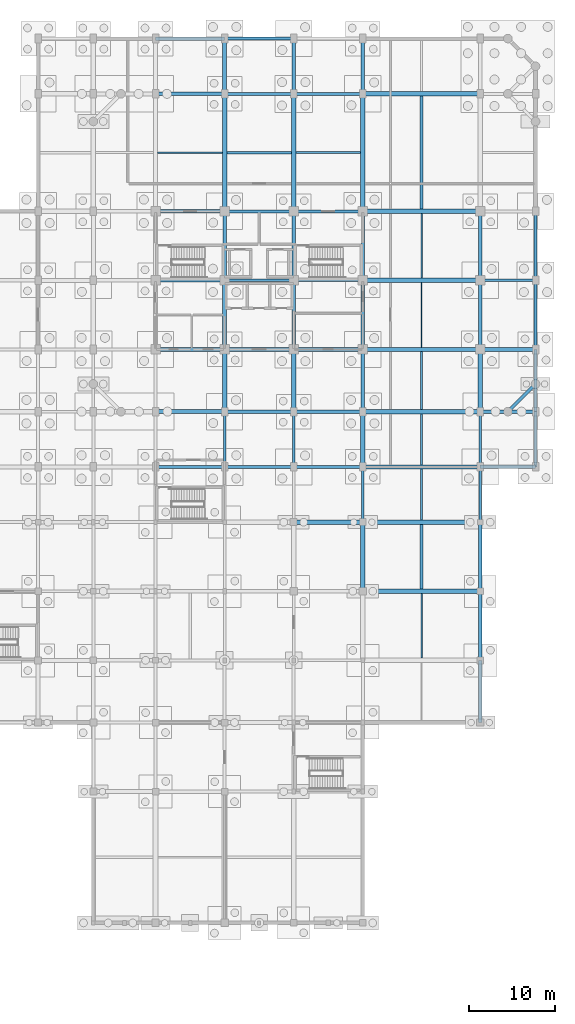
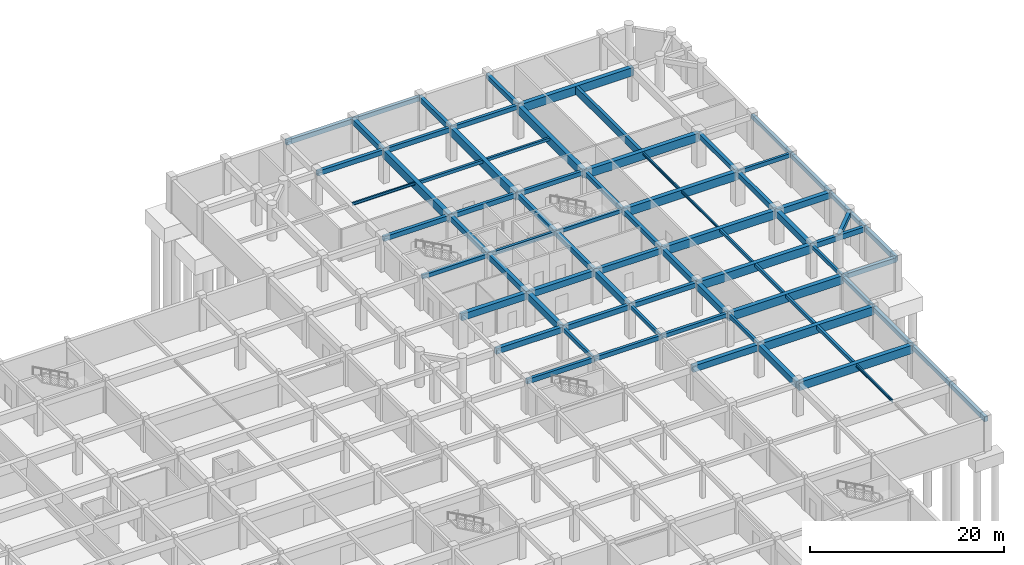
# One storey, part 15 of 28: 77 beams.
"""IFC4 building model written with IfcOpenShell, lengths in metres."""

import ifcopenshell
import ifcopenshell.guid

model = None  # the IFC model being written
_history = None  # IfcOwnerHistory: only IFC2X3 demands one
_inside = {}  # id of a spatial element -> (the spatial element, [elements in it])
_under = {}  # id of a project, library or spatial element -> (it, [spatial elements below it])
_declared = {}  # id of a project -> (the project, [libraries it declares])
_typed = {}  # id of a type object -> (the type object, [elements of that type])
_made_of = {}  # id of a material, layer set ... -> (it, [elements and type objects made of it])


def new_model(schema):
    """Start an empty IFC model of exactly this schema.

    Asked for "IFC4X3", IfcOpenShell would pick the latest addendum, in which some entities
    have other attributes; the version numbers below select the first issue.
    IFC2X3 requires an IfcOwnerHistory on every rooted entity: one is made here for all.
    """
    global model, _history
    if schema == "IFC4X3":
        model = ifcopenshell.file(schema_version=(4, 3, 0, 0))
    else:
        model = ifcopenshell.file(schema=schema)
    _inside.clear()
    _under.clear()
    _declared.clear()
    _typed.clear()
    _made_of.clear()
    _history = None
    if model.schema == "IFC2X3":
        org = make("IfcOrganization", Name="unknown")
        user = make(
            "IfcPersonAndOrganization",
            ThePerson=make("IfcPerson", FamilyName="unknown"),
            TheOrganization=org,
        )
        app = make(
            "IfcApplication",
            ApplicationDeveloper=org,
            Version="unknown",
            ApplicationFullName="unknown",
            ApplicationIdentifier="unknown",
        )
        _history = make(
            "IfcOwnerHistory",
            OwningUser=user,
            OwningApplication=app,
            ChangeAction="ADDED",
            CreationDate=0,
        )
    return model


def make(cls, **values):
    """One entity of the class cls with the attributes given. An attribute that is None is left unset."""
    return model.create_entity(
        cls, **{name: value for name, value in values.items() if value is not None}
    )


def rooted(cls, **values):
    """An entity with a GlobalId (a new one), such as an element, a storey or a relation."""
    return make(cls, GlobalId=ifcopenshell.guid.new(), OwnerHistory=_history, **values)


def si_unit(unit_type, name, prefix=None):
    """IfcSIUnit, for example si_unit("LENGTHUNIT", "METRE", prefix="MILLI")."""
    return make("IfcSIUnit", UnitType=unit_type, Prefix=prefix, Name=name)


def assignment(units):
    """IfcUnitAssignment: the units of a project."""
    return None if units is None else make("IfcUnitAssignment", Units=units)


def point(xyz):
    """IfcCartesianPoint."""
    return None if xyz is None else make("IfcCartesianPoint", Coordinates=xyz)


def direction(xyz):
    """IfcDirection."""
    return None if xyz is None else make("IfcDirection", DirectionRatios=xyz)


def frame(location, z_axis=None, x_axis=None):
    """IfcAxis2Placement3D, a coordinate frame: its origin and axes. An axis left out is left unset."""
    return make(
        "IfcAxis2Placement3D",
        Location=point(location),
        Axis=direction(z_axis),
        RefDirection=direction(x_axis),
    )


def frame_2d(location, x_axis=None):
    """IfcAxis2Placement2D, a coordinate frame in the plane: its origin and x axis."""
    return make(
        "IfcAxis2Placement2D", Location=point(location), RefDirection=direction(x_axis)
    )


def origin():
    """The frame at (0, 0, 0) with its axes left unset."""
    return frame((0.0, 0.0, 0.0))


def origin_2d():
    """The frame at (0, 0) in the plane with its x axis left unset."""
    return frame_2d((0.0, 0.0))


def place(relative_to, where):
    """IfcLocalPlacement: puts the frame where relative to a parent placement (None: the world)."""
    return make(
        "IfcLocalPlacement", PlacementRelTo=relative_to, RelativePlacement=where
    )


def context(
    kind, dimensions, precision=None, world=None, true_north=None, identifier=None
):
    """IfcGeometricRepresentationContext, for example the 3D "Model" context."""
    return make(
        "IfcGeometricRepresentationContext",
        ContextIdentifier=identifier,
        ContextType=kind,
        CoordinateSpaceDimension=dimensions,
        Precision=precision,
        WorldCoordinateSystem=world,
        TrueNorth=true_north,
    )


def subcontext(parent, identifier, kind, view, scale=None):
    """IfcGeometricRepresentationSubContext, for example "Body" below "Model"."""
    return make(
        "IfcGeometricRepresentationSubContext",
        ContextIdentifier=identifier,
        ContextType=kind,
        ParentContext=parent,
        TargetScale=scale,
        TargetView=view,
    )


def project(units=None, contexts=None):
    """IfcProject with its units and contexts."""
    return rooted(
        "IfcProject",
        Name="project",
        RepresentationContexts=contexts,
        UnitsInContext=assignment(units),
    )


def spatial(cls, under=None, at=None, **own):
    """A site, building, storey or space (cls), placed at a placement, below another one or the project."""
    s = rooted(cls, ObjectPlacement=at, **own)
    if under is not None:
        _under.setdefault(under.id(), (under, []))[1].append(s)
    return s


def profile(cls, at=None, kind="AREA", **sizes):
    """A parametric profile (cls). Its sizes go by their IFC names, for example OverallWidth=200.0."""
    return make(cls, ProfileType=kind, Position=at, **sizes)


def rectangle(**sizes):
    """IfcRectangleProfileDef."""
    return profile("IfcRectangleProfileDef", **sizes)


def i_section(**sizes):
    """IfcIShapeProfileDef."""
    return profile("IfcIShapeProfileDef", **sizes)


def extrude(swept, where, along, depth):
    """IfcExtrudedAreaSolid: the profile swept, set in the frame where, extruded along a direction by depth."""
    return make(
        "IfcExtrudedAreaSolid",
        SweptArea=swept,
        Position=where,
        ExtrudedDirection=direction(along),
        Depth=depth,
    )


def shape(context_of_items, identifier, shape_type, items):
    """IfcShapeRepresentation: the items that make up one representation, for example the "Body"."""
    return make(
        "IfcShapeRepresentation",
        ContextOfItems=context_of_items,
        RepresentationIdentifier=identifier,
        RepresentationType=shape_type,
        Items=items,
    )


def material(Name=None, Category=None):
    """IfcMaterial."""
    return make("IfcMaterial", Name=Name, Category=Category)


def material_profile(
    of_material, cross_section, Name=None, Category=None, Priority=None
):
    """IfcMaterialProfile: a cross section and its material."""
    return make(
        "IfcMaterialProfile",
        Name=Name,
        Material=of_material,
        Profile=cross_section,
        Priority=Priority,
        Category=Category,
    )


def profile_set(profiles, Name=None, composite=None):
    """IfcMaterialProfileSet."""
    return make(
        "IfcMaterialProfileSet",
        Name=Name,
        MaterialProfiles=profiles,
        CompositeProfile=composite,
    )


def made_of(thing, what):
    """Note that an element or type object is made of a material, layer set ...; save() writes the relation."""
    if what is not None:
        _made_of.setdefault(what.id(), (what, []))[1].append(thing)
    return thing


def type_object(cls, material=None, **own):
    """A type object (cls), such as IfcWallType, which elements share."""
    return made_of(rooted(cls, **own), material)


def element(
    cls,
    number,
    at=None,
    inside=None,
    cuts=None,
    type_object=None,
    material=None,
    context=None,
    identifier="Body",
    shape_type=None,
    held_by="IfcProductDefinitionShape",
    body=None,
    shapes=None,
    **own,
):
    """One element of the class cls, such as IfcWall. Its Tag is "e" and its number.

    at: its placement. inside: the storey or other place that contains it. cuts: it is an
    opening in that element (IfcRelVoidsElement). A single representation is given by context,
    identifier, shape_type and body (its items); several are given by shapes. held_by: the class
    of the entity that holds the representations. save() writes the other relations.
    """
    e = rooted(cls, Tag="e%d" % number, ObjectPlacement=at, **own)
    if body is not None:
        shapes = [shape(context, identifier, shape_type, body)]
    if shapes is not None:
        e.Representation = make(held_by, Representations=shapes)
    if inside is not None:
        _inside.setdefault(inside.id(), (inside, []))[1].append(e)
    if cuts is not None:
        rooted(
            "IfcRelVoidsElement", RelatingBuildingElement=cuts, RelatedOpeningElement=e
        )
    if type_object is not None:
        _typed.setdefault(type_object.id(), (type_object, []))[1].append(e)
    return made_of(e, material)


def aggregate(whole, parts):
    """IfcRelAggregates: a whole, such as a stair, and the parts it consists of."""
    return rooted("IfcRelAggregates", RelatingObject=whole, RelatedObjects=parts)


def save(model, path):
    """Write the relations noted so far, then the file.

    IfcRelAggregates (storeys below a building ...), IfcRelContainedInSpatialStructure (elements
    in a storey), IfcRelDefinesByType, IfcRelAssociatesMaterial and IfcRelDeclares: one each for
    every whole, place, type object, material and project.
    """
    for whole, parts in _under.values():
        aggregate(whole, parts)
    for where, things in _inside.values():
        rooted(
            "IfcRelContainedInSpatialStructure",
            RelatedElements=things,
            RelatingStructure=where,
        )
    for kind, things in _typed.values():
        rooted("IfcRelDefinesByType", RelatedObjects=things, RelatingType=kind)
    for what, things in _made_of.values():
        rooted("IfcRelAssociatesMaterial", RelatedObjects=things, RelatingMaterial=what)
    for by, libraries in _declared.values():
        rooted("IfcRelDeclares", RelatingContext=by, RelatedDefinitions=libraries)
    model.write(path)


model = new_model("IFC4")

# Units and contexts
model_context = context("Model", 3, precision=1e-05, world=origin(), true_north=direction((0.0, 1.0)))
body_context = subcontext(model_context, "Body", "Model", "MODEL_VIEW")
ifc_project = project(units=[si_unit("LENGTHUNIT", "METRE"), si_unit("AREAUNIT", "SQUARE_METRE"), si_unit("VOLUMEUNIT", "CUBIC_METRE"), si_unit("PLANEANGLEUNIT", "RADIAN"), si_unit("MASSUNIT", "GRAM", prefix="KILO")], contexts=[model_context])

# Site, building, storey
site_placement = place(None, origin())
site = spatial("IfcSite", under=ifc_project, at=site_placement, CompositionType="ELEMENT")
building_placement = place(site_placement, origin())
building = spatial("IfcBuilding", under=site, at=building_placement, Name="Vellmiral Cinema and Media Centre", CompositionType="ELEMENT")
storey_placement = place(building_placement, frame((0.0, 0.0, -4.5)))
storey = spatial("IfcBuildingStorey", under=building, at=storey_placement, Name="B1", CompositionType="ELEMENT", Elevation=-4.5)

# Beams
ifc_material_1 = material(Name="Concrete C40/50", Category="concrete")
ifc_material_profile_1 = material_profile(ifc_material_1, rectangle(XDim=0.300048828125, YDim=0.449951171875, at=origin_2d()), Name="RC 300x450")
ifc_profile_set_1 = profile_set([ifc_material_profile_1], Name="Concrete C40/50")
beam_type_1 = type_object("IfcBeamType", Name="BM-RC-300x450", PredefinedType="BEAM", material=ifc_profile_set_1)
beam_1_placement = place(storey_placement, frame((140.0, 87.199951171875, 3.85009765625), z_axis=(1.0, 0.0, 0.0), x_axis=(0.0, 1.0, 0.0)))
element("IfcBeam", 1, at=beam_1_placement, inside=storey, type_object=beam_type_1, Name="Grid Beam B1-X171", PredefinedType="BEAM", context=body_context, shape_type="SweptSolid", body=[
    extrude(rectangle(XDim=0.300048828125, YDim=0.449951171875, at=origin_2d()), origin(), (0.0, 0.0, 1.0), 8.0),
])
beam_2_placement = place(storey_placement, frame((140.0, 65.60009765625, 3.85009765625), z_axis=(0.0, 1.0, 0.0), x_axis=(-1.0, 0.0, 0.0)))
element("IfcBeam", 2, at=beam_2_placement, inside=storey, type_object=beam_type_1, Name="Grid Beam B1-Y383", PredefinedType="BEAM", context=body_context, shape_type="SweptSolid", body=[
    extrude(rectangle(XDim=0.300048828125, YDim=0.449951171875, at=origin_2d()), origin(), (0.0, 0.0, 1.0), 6.39990234375),
])
beam_3_placement = place(storey_placement, frame((148.0, 59.199951171875, 3.85009765625), z_axis=(0.0, 1.0, 0.0), x_axis=(-1.0, 0.0, 0.0)))
element("IfcBeam", 3, at=beam_3_placement, inside=storey, type_object=beam_type_1, Name="Grid Beam B1-Y394", PredefinedType="BEAM", context=body_context, shape_type="SweptSolid", body=[
    extrude(rectangle(XDim=0.300048828125, YDim=0.449951171875, at=origin_2d()), origin(), (0.0, 0.0, 1.0), 6.400146484375),
])
beam_4_placement = place(storey_placement, frame((161.60009765625, 65.60009765625, 3.85009765625), z_axis=(0.0, 1.0, 0.0), x_axis=(-1.0, 0.0, 0.0)))
element("IfcBeam", 4, at=beam_4_placement, inside=storey, type_object=beam_type_1, Name="Grid Beam B1-Y405", PredefinedType="BEAM", context=body_context, shape_type="SweptSolid", body=[
    extrude(rectangle(XDim=0.300048828125, YDim=0.449951171875, at=origin_2d()), origin(), (0.0, 0.0, 1.0), 6.39990234375),
])
ifc_material_2 = material(Name="Concrete C40/50", Category="concrete")
ifc_material_profile_2 = material_profile(ifc_material_2, rectangle(XDim=0.300048828125, YDim=0.5, at=origin_2d()), Name="RC 300x500")
ifc_profile_set_2 = profile_set([ifc_material_profile_2], Name="Concrete C40/50")
beam_type_2 = type_object("IfcBeamType", Name="BM-RC-300x500", PredefinedType="BEAM", material=ifc_profile_set_2)
beam_5_placement = place(storey_placement, frame((132.0, 87.199951171875, 3.824951171875), z_axis=(1.0, 0.0, 0.0), x_axis=(0.0, 1.0, 0.0)))
element("IfcBeam", 5, at=beam_5_placement, inside=storey, type_object=beam_type_2, Name="Grid Beam B1-X170", PredefinedType="BEAM", context=body_context, shape_type="SweptSolid", body=[
    extrude(rectangle(XDim=0.300048828125, YDim=0.5, at=origin_2d()), origin(), (0.0, 0.0, 1.0), 8.0),
])
for number, where, z_axis, x_axis, name in (
    (6, (161.60009765625, 87.199951171875, 3.824951171875), (1.0, 0.0, 0.0), (0.0, 1.0, 0.0), "Grid Beam B1-X173"),
    (7, (132.0, 65.60009765625, 3.824951171875), (0.0, 1.0, 0.0), (-1.0, 0.0, 0.0), "Grid Beam B1-Y371"),
):
    element("IfcBeam", number, at=place(storey_placement, frame(where, z_axis=z_axis, x_axis=x_axis)), inside=storey, type_object=beam_type_2, Name=name, PredefinedType="BEAM", context=body_context, shape_type="SweptSolid", body=[
        extrude(rectangle(XDim=0.300048828125, YDim=0.5, at=origin_2d()), origin(), (0.0, 0.0, 1.0), 6.39990234375),
    ])
ifc_material_3 = material(Name="Concrete C40/50", Category="concrete")
ifc_material_profile_3 = material_profile(ifc_material_3, rectangle(XDim=0.35009765625, YDim=0.5, at=origin_2d()), Name="RC 350x500")
ifc_profile_set_3 = profile_set([ifc_material_profile_3], Name="Concrete C40/50")
beam_type_3 = type_object("IfcBeamType", Name="BM-RC-350x500", PredefinedType="BEAM", material=ifc_profile_set_3)
for number, where, z_axis, x_axis, name in (
    (8, (140.0, 65.60009765625, 3.824951171875), (1.0, 0.0, 0.0), (0.0, 1.0, 0.0), "Grid Beam B1-X114"),
    (9, (124.0, 87.199951171875, 3.824951171875), (1.0, 0.0, 0.0), (0.0, 1.0, 0.0), "Grid Beam B1-X169"),
):
    element("IfcBeam", number, at=place(storey_placement, frame(where, z_axis=z_axis, x_axis=x_axis)), inside=storey, type_object=beam_type_3, Name=name, PredefinedType="BEAM", context=body_context, shape_type="SweptSolid", body=[
        extrude(rectangle(XDim=0.35009765625, YDim=0.5, at=origin_2d()), origin(), (0.0, 0.0, 1.0), 8.0),
    ])
ifc_material_4 = material(Name="Concrete C40/50", Category="concrete")
ifc_material_profile_4 = material_profile(ifc_material_4, rectangle(XDim=0.35009765625, YDim=0.550048828125, at=origin_2d()), Name="RC 350x550")
ifc_profile_set_4 = profile_set([ifc_material_profile_4], Name="Concrete C40/50")
beam_type_4 = type_object("IfcBeamType", Name="BM-RC-350x550", PredefinedType="BEAM", material=ifc_profile_set_4)
for number, where, z_axis, x_axis, name in (
    (10, (132.0, 65.60009765625, 3.800048828125), (1.0, 0.0, 0.0), (0.0, 1.0, 0.0), "Grid Beam B1-X113"),
    (11, (140.0, 95.199951171875, 3.800048828125), (1.0, 0.0, 0.0), (0.0, 1.0, 0.0), "Grid Beam B1-X190"),
    (12, (140.0, 108.800048828125, 3.800048828125), (1.0, 0.0, 0.0), (0.0, 1.0, 0.0), "Grid Beam B1-X201"),
):
    element("IfcBeam", number, at=place(storey_placement, frame(where, z_axis=z_axis, x_axis=x_axis)), inside=storey, type_object=beam_type_4, Name=name, PredefinedType="BEAM", context=body_context, shape_type="SweptSolid", body=[
        extrude(rectangle(XDim=0.35009765625, YDim=0.550048828125, at=origin_2d()), origin(), (0.0, 0.0, 1.0), 8.0),
    ])
ifc_material_5 = material(Name="Concrete C40/50", Category="concrete")
ifc_material_profile_5 = material_profile(ifc_material_5, rectangle(XDim=0.35009765625, YDim=0.60009765625, at=origin_2d()), Name="RC 350x600")
ifc_profile_set_5 = profile_set([ifc_material_profile_5], Name="Concrete C40/50")
beam_type_5 = type_object("IfcBeamType", Name="BM-RC-350x600", PredefinedType="BEAM", material=ifc_profile_set_5)
for number, where, z_axis, x_axis, name in (
    (13, (124.0, 65.60009765625, 3.77490234375), (1.0, 0.0, 0.0), (0.0, 1.0, 0.0), "Grid Beam B1-X112"),
    (14, (132.0, 95.199951171875, 3.77490234375), (1.0, 0.0, 0.0), (0.0, 1.0, 0.0), "Grid Beam B1-X189"),
    (15, (132.0, 108.800048828125, 3.77490234375), (1.0, 0.0, 0.0), (0.0, 1.0, 0.0), "Grid Beam B1-X200"),
    (16, (148.0, 87.199951171875, 3.77490234375), (0.0, 1.0, 0.0), (-1.0, 0.0, 0.0), "Grid Beam B1-Y398"),
):
    element("IfcBeam", number, at=place(storey_placement, frame(where, z_axis=z_axis, x_axis=x_axis)), inside=storey, type_object=beam_type_5, Name=name, PredefinedType="BEAM", context=body_context, shape_type="SweptSolid", body=[
        extrude(rectangle(XDim=0.35009765625, YDim=0.60009765625, at=origin_2d()), origin(), (0.0, 0.0, 1.0), 8.0),
    ])
ifc_material_6 = material(Name="Concrete C40/50", Category="concrete")
ifc_material_profile_6 = material_profile(ifc_material_6, rectangle(XDim=0.39990234375, YDim=0.60009765625, at=origin_2d()), Name="RC 400x600")
ifc_profile_set_6 = profile_set([ifc_material_profile_6], Name="Concrete C40/50")
beam_type_6 = type_object("IfcBeamType", Name="BM-RC-400x600", PredefinedType="BEAM", material=ifc_profile_set_6)
for number, where, z_axis, x_axis, name in (
    (17, (140.0, 72.0, 3.77490234375), (1.0, 0.0, 0.0), (0.0, 1.0, 0.0), "Grid Beam B1-X133"),
    (18, (124.0, 95.199951171875, 3.77490234375), (1.0, 0.0, 0.0), (0.0, 1.0, 0.0), "Grid Beam B1-X188"),
    (19, (124.0, 108.800048828125, 3.77490234375), (1.0, 0.0, 0.0), (0.0, 1.0, 0.0), "Grid Beam B1-X199"),
    (20, (140.0, 87.199951171875, 3.77490234375), (0.0, 1.0, 0.0), (-1.0, 0.0, 0.0), "Grid Beam B1-Y386"),
    (21, (148.0, 79.199951171875, 3.77490234375), (0.0, 1.0, 0.0), (-1.0, 0.0, 0.0), "Grid Beam B1-Y397"),
):
    element("IfcBeam", number, at=place(storey_placement, frame(where, z_axis=z_axis, x_axis=x_axis)), inside=storey, type_object=beam_type_6, Name=name, PredefinedType="BEAM", context=body_context, shape_type="SweptSolid", body=[
        extrude(rectangle(XDim=0.39990234375, YDim=0.60009765625, at=origin_2d()), origin(), (0.0, 0.0, 1.0), 8.0),
    ])
beam_6_placement = place(storey_placement, frame((148.0, 108.800048828125, 3.77490234375), z_axis=(0.0, 1.0, 0.0), x_axis=(-1.0, 0.0, 0.0)))
element("IfcBeam", 22, at=beam_6_placement, inside=storey, type_object=beam_type_6, Name="Grid Beam B1-Y400", PredefinedType="BEAM", context=body_context, shape_type="SweptSolid", body=[
    extrude(rectangle(XDim=0.39990234375, YDim=0.60009765625, at=origin_2d()), origin(), (0.0, 0.0, 1.0), 6.39990234375),
])
beam_7_placement = place(storey_placement, frame((161.60009765625, 87.199951171875, 3.77490234375), z_axis=(0.0, 1.0, 0.0), x_axis=(-1.0, 0.0, 0.0)))
element("IfcBeam", 23, at=beam_7_placement, inside=storey, type_object=beam_type_6, Name="Grid Beam B1-Y408", PredefinedType="BEAM", context=body_context, shape_type="SweptSolid", body=[
    extrude(rectangle(XDim=0.39990234375, YDim=0.60009765625, at=origin_2d()), origin(), (0.0, 0.0, 1.0), 8.0),
])
ifc_material_7 = material(Name="Concrete C40/50", Category="concrete")
ifc_material_profile_7 = material_profile(ifc_material_7, rectangle(XDim=0.39990234375, YDim=0.64990234375, at=origin_2d()), Name="RC 400x650")
ifc_profile_set_7 = profile_set([ifc_material_profile_7], Name="Concrete C40/50")
beam_type_7 = type_object("IfcBeamType", Name="BM-RC-400x650", PredefinedType="BEAM", material=ifc_profile_set_7)
beam_8_placement = place(storey_placement, frame((132.0, 72.0, 3.75), z_axis=(1.0, 0.0, 0.0), x_axis=(0.0, 1.0, 0.0)))
element("IfcBeam", 24, at=beam_8_placement, inside=storey, type_object=beam_type_7, Name="Grid Beam B1-X132", PredefinedType="BEAM", context=body_context, shape_type="SweptSolid", body=[
    extrude(rectangle(XDim=0.39990234375, YDim=0.64990234375, at=origin_2d()), origin(), (0.0, 0.0, 1.0), 8.0),
])
beam_9_placement = place(storey_placement, frame((161.60009765625, 72.0, 3.75), z_axis=(1.0, 0.0, 0.0), x_axis=(0.0, 1.0, 0.0)))
element("IfcBeam", 25, at=beam_9_placement, inside=storey, type_object=beam_type_7, Name="Grid Beam B1-X135", PredefinedType="BEAM", context=body_context, shape_type="SweptSolid", body=[
    extrude(rectangle(XDim=0.39990234375, YDim=0.64990234375, at=origin_2d()), origin(), (0.0, 0.0, 1.0), 6.39990234375),
])
for number, where, z_axis, x_axis, name in (
    (26, (132.0, 87.199951171875, 3.75), (0.0, 1.0, 0.0), (-1.0, 0.0, 0.0), "Grid Beam B1-Y374"),
    (27, (140.0, 79.199951171875, 3.75), (0.0, 1.0, 0.0), (-1.0, 0.0, 0.0), "Grid Beam B1-Y385"),
):
    element("IfcBeam", number, at=place(storey_placement, frame(where, z_axis=z_axis, x_axis=x_axis)), inside=storey, type_object=beam_type_7, Name=name, PredefinedType="BEAM", context=body_context, shape_type="SweptSolid", body=[
        extrude(rectangle(XDim=0.39990234375, YDim=0.64990234375, at=origin_2d()), origin(), (0.0, 0.0, 1.0), 8.0),
    ])
beam_10_placement = place(storey_placement, frame((140.0, 108.800048828125, 3.75), z_axis=(0.0, 1.0, 0.0), x_axis=(-1.0, 0.0, 0.0)))
element("IfcBeam", 28, at=beam_10_placement, inside=storey, type_object=beam_type_7, Name="Grid Beam B1-Y388", PredefinedType="BEAM", context=body_context, shape_type="SweptSolid", body=[
    extrude(rectangle(XDim=0.39990234375, YDim=0.64990234375, at=origin_2d()), origin(), (0.0, 0.0, 1.0), 6.39990234375),
])
beam_11_placement = place(storey_placement, frame((161.60009765625, 79.199951171875, 3.75), z_axis=(0.0, 1.0, 0.0), x_axis=(-1.0, 0.0, 0.0)))
element("IfcBeam", 29, at=beam_11_placement, inside=storey, type_object=beam_type_7, Name="Grid Beam B1-Y407", PredefinedType="BEAM", context=body_context, shape_type="SweptSolid", body=[
    extrude(rectangle(XDim=0.39990234375, YDim=0.64990234375, at=origin_2d()), origin(), (0.0, 0.0, 1.0), 8.0),
])
ifc_material_8 = material(Name="Concrete C40/50", Category="concrete")
ifc_material_profile_8 = material_profile(ifc_material_8, rectangle(XDim=0.449951171875, YDim=0.699951171875, at=origin_2d()), Name="RC 450x700")
ifc_profile_set_8 = profile_set([ifc_material_profile_8], Name="Concrete C40/50")
beam_type_8 = type_object("IfcBeamType", Name="BM-RC-450x700", PredefinedType="BEAM", material=ifc_profile_set_8)
for number, where, z_axis, x_axis, name in (
    (30, (124.0, 72.0, 3.72509765625), (1.0, 0.0, 0.0), (0.0, 1.0, 0.0), "Grid Beam B1-X131"),
    (31, (132.0, 79.199951171875, 3.72509765625), (0.0, 1.0, 0.0), (-1.0, 0.0, 0.0), "Grid Beam B1-Y373"),
):
    element("IfcBeam", number, at=place(storey_placement, frame(where, z_axis=z_axis, x_axis=x_axis)), inside=storey, type_object=beam_type_8, Name=name, PredefinedType="BEAM", context=body_context, shape_type="SweptSolid", body=[
        extrude(rectangle(XDim=0.449951171875, YDim=0.699951171875, at=origin_2d()), origin(), (0.0, 0.0, 1.0), 8.0),
    ])
beam_12_placement = place(storey_placement, frame((132.0, 108.800048828125, 3.72509765625), z_axis=(0.0, 1.0, 0.0), x_axis=(-1.0, 0.0, 0.0)))
element("IfcBeam", 32, at=beam_12_placement, inside=storey, type_object=beam_type_8, Name="Grid Beam B1-Y376", PredefinedType="BEAM", context=body_context, shape_type="SweptSolid", body=[
    extrude(rectangle(XDim=0.449951171875, YDim=0.699951171875, at=origin_2d()), origin(), (0.0, 0.0, 1.0), 6.39990234375),
])
ifc_material_9 = material(Name="Concrete C40/50", Category="concrete")
ifc_material_profile_9 = material_profile(ifc_material_9, rectangle(XDim=0.449951171875, YDim=0.75, at=origin_2d()), Name="RC 450x750")
ifc_profile_set_9 = profile_set([ifc_material_profile_9], Name="Concrete C40/50")
beam_type_9 = type_object("IfcBeamType", Name="BM-RC-450x750", PredefinedType="BEAM", material=ifc_profile_set_9)
beam_13_placement = place(storey_placement, frame((140.0, 79.199951171875, 3.699951171875), z_axis=(1.0, 0.0, 0.0), x_axis=(0.0, 1.0, 0.0)))
element("IfcBeam", 33, at=beam_13_placement, inside=storey, type_object=beam_type_9, Name="Grid Beam B1-X152", PredefinedType="BEAM", context=body_context, shape_type="SweptSolid", body=[
    extrude(rectangle(XDim=0.449951171875, YDim=0.75, at=origin_2d()), origin(), (0.0, 0.0, 1.0), 8.0),
])
beam_14_placement = place(storey_placement, frame((148.0, 72.0, 3.699951171875), z_axis=(0.0, 1.0, 0.0), x_axis=(-1.0, 0.0, 0.0)))
element("IfcBeam", 34, at=beam_14_placement, inside=storey, type_object=beam_type_9, Name="Grid Beam B1-Y396", PredefinedType="BEAM", context=body_context, shape_type="SweptSolid", body=[
    extrude(rectangle(XDim=0.449951171875, YDim=0.75, at=origin_2d()), origin(), (0.0, 0.0, 1.0), 7.199951171875),
])
ifc_material_10 = material(Name="Concrete C40/50", Category="concrete")
ifc_material_profile_10 = material_profile(ifc_material_10, rectangle(XDim=0.5, YDim=0.800048828125, at=origin_2d()), Name="RC 500x800")
ifc_profile_set_10 = profile_set([ifc_material_profile_10], Name="Concrete C40/50")
beam_type_10 = type_object("IfcBeamType", Name="BM-RC-500x800", PredefinedType="BEAM", material=ifc_profile_set_10)
for number, where, z_axis, x_axis, name in (
    (35, (140.0, 59.199951171875, 3.675048828125), (1.0, 0.0, 0.0), (0.0, 1.0, 0.0), "Grid Beam B1-X096"),
    (36, (132.0, 79.199951171875, 3.675048828125), (1.0, 0.0, 0.0), (0.0, 1.0, 0.0), "Grid Beam B1-X151"),
):
    element("IfcBeam", number, at=place(storey_placement, frame(where, z_axis=z_axis, x_axis=x_axis)), inside=storey, type_object=beam_type_10, Name=name, PredefinedType="BEAM", context=body_context, shape_type="SweptSolid", body=[
        extrude(rectangle(XDim=0.5, YDim=0.800048828125, at=origin_2d()), origin(), (0.0, 0.0, 1.0), 8.0),
    ])
beam_15_placement = place(storey_placement, frame((161.60009765625, 79.199951171875, 3.675048828125), z_axis=(1.0, 0.0, 0.0), x_axis=(0.0, 1.0, 0.0)))
element("IfcBeam", 37, at=beam_15_placement, inside=storey, type_object=beam_type_10, Name="Grid Beam B1-X154", PredefinedType="BEAM", context=body_context, shape_type="SweptSolid", body=[
    extrude(rectangle(XDim=0.5, YDim=0.800048828125, at=origin_2d()), origin(), (0.0, 0.0, 1.0), 6.39990234375),
])
beam_16_placement = place(storey_placement, frame((140.0, 72.0, 3.675048828125), z_axis=(0.0, 1.0, 0.0), x_axis=(-1.0, 0.0, 0.0)))
element("IfcBeam", 38, at=beam_16_placement, inside=storey, type_object=beam_type_10, Name="Grid Beam B1-Y384", PredefinedType="BEAM", context=body_context, shape_type="SweptSolid", body=[
    extrude(rectangle(XDim=0.5, YDim=0.800048828125, at=origin_2d()), origin(), (0.0, 0.0, 1.0), 7.199951171875),
])
beam_17_placement = place(storey_placement, frame((148.0, 51.199951171875, 3.675048828125), z_axis=(0.0, 1.0, 0.0), x_axis=(-1.0, 0.0, 0.0)))
element("IfcBeam", 39, at=beam_17_placement, inside=storey, type_object=beam_type_10, Name="Grid Beam B1-Y393", PredefinedType="BEAM", context=body_context, shape_type="SweptSolid", body=[
    extrude(rectangle(XDim=0.5, YDim=0.800048828125, at=origin_2d()), origin(), (0.0, 0.0, 1.0), 8.0),
])
beam_18_placement = place(storey_placement, frame((161.60009765625, 72.0, 3.675048828125), z_axis=(0.0, 1.0, 0.0), x_axis=(-1.0, 0.0, 0.0)))
element("IfcBeam", 40, at=beam_18_placement, inside=storey, type_object=beam_type_10, Name="Grid Beam B1-Y406", PredefinedType="BEAM", context=body_context, shape_type="SweptSolid", body=[
    extrude(rectangle(XDim=0.5, YDim=0.800048828125, at=origin_2d()), origin(), (0.0, 0.0, 1.0), 7.199951171875),
])
ifc_material_11 = material(Name="Concrete C40/50", Category="concrete")
ifc_material_profile_11 = material_profile(ifc_material_11, rectangle(XDim=0.5, YDim=0.85009765625, at=origin_2d()), Name="RC 500x850")
ifc_profile_set_11 = profile_set([ifc_material_profile_11], Name="Concrete C40/50")
beam_type_11 = type_object("IfcBeamType", Name="BM-RC-500x850", PredefinedType="BEAM", material=ifc_profile_set_11)
beam_19_placement = place(storey_placement, frame((124.0, 79.199951171875, 3.64990234375), z_axis=(1.0, 0.0, 0.0), x_axis=(0.0, 1.0, 0.0)))
element("IfcBeam", 41, at=beam_19_placement, inside=storey, type_object=beam_type_11, Name="Grid Beam B1-X150", PredefinedType="BEAM", context=body_context, shape_type="SweptSolid", body=[
    extrude(rectangle(XDim=0.5, YDim=0.85009765625, at=origin_2d()), origin(), (0.0, 0.0, 1.0), 8.0),
])
beam_20_placement = place(storey_placement, frame((132.0, 72.0, 3.64990234375), z_axis=(0.0, 1.0, 0.0), x_axis=(-1.0, 0.0, 0.0)))
element("IfcBeam", 42, at=beam_20_placement, inside=storey, type_object=beam_type_11, Name="Grid Beam B1-Y372", PredefinedType="BEAM", context=body_context, shape_type="SweptSolid", body=[
    extrude(rectangle(XDim=0.5, YDim=0.85009765625, at=origin_2d()), origin(), (0.0, 0.0, 1.0), 7.199951171875),
])
beam_21_placement = place(storey_placement, frame((148.0, 65.60009765625, 3.64990234375), z_axis=(0.0, 1.0, 0.0), x_axis=(-1.0, 0.0, 0.0)))
element("IfcBeam", 43, at=beam_21_placement, inside=storey, type_object=beam_type_11, Name="Grid Beam B1-Y395", PredefinedType="BEAM", context=body_context, shape_type="SweptSolid", body=[
    extrude(rectangle(XDim=0.5, YDim=0.85009765625, at=origin_2d()), origin(), (0.0, 0.0, 1.0), 6.39990234375),
])
ifc_material_12 = material(Name="Concrete C40/50", Category="concrete")
ifc_material_profile_12 = material_profile(ifc_material_12, rectangle(XDim=0.5, YDim=1.050048828125, at=origin_2d()), Name="RC 500x1050")
ifc_profile_set_12 = profile_set([ifc_material_profile_12], Name="Concrete C40/50")
beam_type_12 = type_object("IfcBeamType", Name="BM-RCG-500x1050", PredefinedType="BEAM", material=ifc_profile_set_12)
for number, where, z_axis, x_axis, name in (
    (44, (148.0, 51.199951171875, 3.550048828125), (1.0, 0.0, 0.0), (0.0, 1.0, 0.0), "Grid Beam B1-X079"),
    (45, (148.0, 59.199951171875, 3.550048828125), (1.0, 0.0, 0.0), (0.0, 1.0, 0.0), "Grid Beam B1-X097"),
    (46, (148.0, 65.60009765625, 3.550048828125), (1.0, 0.0, 0.0), (0.0, 1.0, 0.0), "Grid Beam B1-X115"),
    (47, (148.0, 72.0, 3.550048828125), (1.0, 0.0, 0.0), (0.0, 1.0, 0.0), "Grid Beam B1-X134"),
    (48, (148.0, 79.199951171875, 3.550048828125), (1.0, 0.0, 0.0), (0.0, 1.0, 0.0), "Grid Beam B1-X153"),
    (49, (148.0, 87.199951171875, 3.550048828125), (1.0, 0.0, 0.0), (0.0, 1.0, 0.0), "Grid Beam B1-X172"),
    (50, (148.0, 95.199951171875, 3.550048828125), (1.0, 0.0, 0.0), (0.0, 1.0, 0.0), "Grid Beam B1-X191"),
    (51, (148.0, 108.800048828125, 3.550048828125), (1.0, 0.0, 0.0), (0.0, 1.0, 0.0), "Grid Beam B1-X202"),
    (52, (132.0, 95.199951171875, 3.550048828125), (0.0, 1.0, 0.0), (-1.0, 0.0, 0.0), "Grid Beam B1-Y375"),
    (53, (140.0, 95.199951171875, 3.550048828125), (0.0, 1.0, 0.0), (-1.0, 0.0, 0.0), "Grid Beam B1-Y387"),
    (54, (148.0, 95.199951171875, 3.550048828125), (0.0, 1.0, 0.0), (-1.0, 0.0, 0.0), "Grid Beam B1-Y399"),
):
    element("IfcBeam", number, at=place(storey_placement, frame(where, z_axis=z_axis, x_axis=x_axis)), inside=storey, type_object=beam_type_12, Name=name, PredefinedType="BEAM", context=body_context, shape_type="SweptSolid", body=[
        extrude(rectangle(XDim=0.5, YDim=1.050048828125, at=origin_2d()), origin(), (0.0, 0.0, 1.0), 13.60009765625),
    ])
ifc_material_13 = material(Name="Concrete C40/50", Category="concrete")
ifc_material_profile_13 = material_profile(ifc_material_13, rectangle(XDim=0.25, YDim=0.35009765625, at=origin_2d()), Name="RC 250x350")
ifc_profile_set_13 = profile_set([ifc_material_profile_13], Name="Concrete C40/50")
beam_type_13 = type_object("IfcBeamType", Name="JST-RC-250x350", PredefinedType="JOIST", material=ifc_profile_set_13)
beam_22_placement = place(storey_placement, frame((140.25, 102.0, 3.89990234375), z_axis=(1.0, 0.0, 0.0), x_axis=(0.0, 1.0, 0.0)))
element("IfcBeam", 55, at=beam_22_placement, inside=storey, type_object=beam_type_13, Name="Secondary Floor Joist B1-040", PredefinedType="JOIST", context=body_context, shape_type="SweptSolid", body=[
    extrude(rectangle(XDim=0.25, YDim=0.35009765625, at=origin_2d()), origin(), (0.0, 0.0, 1.0), 7.5),
])
beam_23_placement = place(storey_placement, frame((154.800048828125, 72.25, 3.89990234375), z_axis=(0.0, 1.0, 0.0), x_axis=(-1.0, 0.0, 0.0)))
element("IfcBeam", 56, at=beam_23_placement, inside=storey, type_object=beam_type_13, Name="Secondary Floor Joist B1-046", PredefinedType="JOIST", context=body_context, shape_type="SweptSolid", body=[
    extrude(rectangle(XDim=0.25, YDim=0.35009765625, at=origin_2d()), origin(), (0.0, 0.0, 1.0), 6.699951171875),
])
ifc_material_14 = material(Name="Concrete C40/50", Category="concrete")
ifc_material_profile_14 = material_profile(ifc_material_14, rectangle(XDim=0.260009765625, YDim=0.3798828125, at=origin_2d()), Name="RC 260x380")
ifc_profile_set_14 = profile_set([ifc_material_profile_14], Name="Concrete C40/50")
beam_type_14 = type_object("IfcBeamType", Name="JST-RC-260x380", PredefinedType="JOIST", material=ifc_profile_set_14)
beam_24_placement = place(storey_placement, frame((154.800048828125, 65.85009765625, 3.885009765625), z_axis=(0.0, 1.0, 0.0), x_axis=(-1.0, 0.0, 0.0)))
element("IfcBeam", 57, at=beam_24_placement, inside=storey, type_object=beam_type_14, Name="Secondary Floor Joist B1-045", PredefinedType="JOIST", context=body_context, shape_type="SweptSolid", body=[
    extrude(rectangle(XDim=0.260009765625, YDim=0.3798828125, at=origin_2d()), origin(), (0.0, 0.0, 1.0), 5.89990234375),
])
ifc_material_15 = material(Name="Concrete C40/50", Category="concrete")
ifc_material_profile_15 = material_profile(ifc_material_15, rectangle(XDim=0.280029296875, YDim=0.39990234375, at=origin_2d()), Name="RC 280x400")
ifc_profile_set_15 = profile_set([ifc_material_profile_15], Name="Concrete C40/50")
beam_type_15 = type_object("IfcBeamType", Name="JST-RC-280x400", PredefinedType="JOIST", material=ifc_profile_set_15)
beam_25_placement = place(storey_placement, frame((132.25, 102.0, 3.875), z_axis=(1.0, 0.0, 0.0), x_axis=(0.0, 1.0, 0.0)))
element("IfcBeam", 58, at=beam_25_placement, inside=storey, type_object=beam_type_15, Name="Secondary Floor Joist B1-038", PredefinedType="JOIST", context=body_context, shape_type="SweptSolid", body=[
    extrude(rectangle(XDim=0.280029296875, YDim=0.39990234375, at=origin_2d()), origin(), (0.0, 0.0, 1.0), 7.5),
])
beam_26_placement = place(storey_placement, frame((154.800048828125, 59.449951171875, 3.875), z_axis=(0.0, 1.0, 0.0), x_axis=(-1.0, 0.0, 0.0)))
element("IfcBeam", 59, at=beam_26_placement, inside=storey, type_object=beam_type_15, Name="Secondary Floor Joist B1-044", PredefinedType="JOIST", context=body_context, shape_type="SweptSolid", body=[
    extrude(rectangle(XDim=0.280029296875, YDim=0.39990234375, at=origin_2d()), origin(), (0.0, 0.0, 1.0), 5.900146484375),
])
ifc_material_16 = material(Name="Concrete C40/50", Category="concrete")
ifc_material_profile_16 = material_profile(ifc_material_16, rectangle(XDim=0.300048828125, YDim=0.419921875, at=origin_2d()), Name="RC 300x420")
ifc_profile_set_16 = profile_set([ifc_material_profile_16], Name="Concrete C40/50")
beam_type_16 = type_object("IfcBeamType", Name="JST-RC-300x420", PredefinedType="JOIST", material=ifc_profile_set_16)
beam_27_placement = place(storey_placement, frame((154.800048828125, 51.449951171875, 3.864990234375), z_axis=(0.0, 1.0, 0.0), x_axis=(-1.0, 0.0, 0.0)))
element("IfcBeam", 60, at=beam_27_placement, inside=storey, type_object=beam_type_16, Name="Secondary Floor Joist B1-043", PredefinedType="JOIST", context=body_context, shape_type="SweptSolid", body=[
    extrude(rectangle(XDim=0.300048828125, YDim=0.419921875, at=origin_2d()), origin(), (0.0, 0.0, 1.0), 7.5),
])
ifc_material_17 = material(Name="Concrete C40/50", Category="concrete")
ifc_material_profile_17 = material_profile(ifc_material_17, rectangle(XDim=0.35009765625, YDim=0.949951171875, at=origin_2d()), Name="RC 350x950")
ifc_profile_set_17 = profile_set([ifc_material_profile_17], Name="Concrete C40/50")
beam_type_17 = type_object("IfcBeamType", Name="JST-RCG-350x950", PredefinedType="JOIST", material=ifc_profile_set_17)
beam_28_placement = place(storey_placement, frame((154.800048828125, 95.449951171875, 3.60009765625), z_axis=(0.0, 1.0, 0.0), x_axis=(-1.0, 0.0, 0.0)))
element("IfcBeam", 61, at=beam_28_placement, inside=storey, type_object=beam_type_17, Name="Secondary Floor Joist B1-049", PredefinedType="JOIST", context=body_context, shape_type="SweptSolid", body=[
    extrude(rectangle(XDim=0.35009765625, YDim=0.949951171875, at=origin_2d()), origin(), (0.0, 0.0, 1.0), 13.10009765625),
])
ifc_material_18 = material(Name="Steel S355", Category="steel")
ifc_material_profile_18 = material_profile(ifc_material_18, i_section(OverallWidth=0.14990234375, OverallDepth=0.300048828125, WebThickness=0.007080078125, FlangeThickness=0.0107421875, FilletRadius=0.014892578125, at=origin_2d()), Name="IPE 300")
ifc_profile_set_18 = profile_set([ifc_material_profile_18], Name="Steel S355")
beam_type_18 = type_object("IfcBeamType", Name="SBM-IPE300", PredefinedType="JOIST", material=ifc_profile_set_18)
beam_29_placement = place(storey_placement, frame((154.800048828125, 79.449951171875, 3.925048828125), z_axis=(0.0, 1.0, 0.0), x_axis=(-1.0, 0.0, 0.0)))
element("IfcBeam", 62, at=beam_29_placement, inside=storey, type_object=beam_type_18, Name="Secondary Floor Joist B1-047", PredefinedType="JOIST", context=body_context, shape_type="SweptSolid", body=[
    extrude(i_section(OverallWidth=0.14990234375, OverallDepth=0.300048828125, WebThickness=0.007080078125, FlangeThickness=0.0107421875, FilletRadius=0.014892578125, at=origin_2d()), origin(), (0.0, 0.0, 1.0), 7.5),
])
ifc_material_19 = material(Name="Steel S355", Category="steel")
ifc_material_profile_19 = material_profile(ifc_material_19, i_section(OverallWidth=0.169921875, OverallDepth=0.360107421875, WebThickness=0.008056640625, FlangeThickness=0.0126953125, FilletRadius=0.01806640625, at=origin_2d()), Name="IPE 360")
ifc_profile_set_19 = profile_set([ifc_material_profile_19], Name="Steel S355")
beam_type_19 = type_object("IfcBeamType", Name="SBM-IPE360", PredefinedType="JOIST", material=ifc_profile_set_19)
for number, where, z_axis, x_axis, name in (
    (63, (124.25, 102.0, 3.89501953125), (1.0, 0.0, 0.0), (0.0, 1.0, 0.0), "Secondary Floor Joist B1-036"),
    (64, (154.800048828125, 43.449951171875, 3.89501953125), (0.0, 1.0, 0.0), (-1.0, 0.0, 0.0), "Secondary Floor Joist B1-042"),
    (65, (154.800048828125, 87.449951171875, 3.89501953125), (0.0, 1.0, 0.0), (-1.0, 0.0, 0.0), "Secondary Floor Joist B1-048"),
):
    element("IfcBeam", number, at=place(storey_placement, frame(where, z_axis=z_axis, x_axis=x_axis)), inside=storey, type_object=beam_type_19, Name=name, PredefinedType="JOIST", context=body_context, shape_type="SweptSolid", body=[
        extrude(i_section(OverallWidth=0.169921875, OverallDepth=0.360107421875, WebThickness=0.008056640625, FlangeThickness=0.0126953125, FilletRadius=0.01806640625, at=origin_2d()), origin(), (0.0, 0.0, 1.0), 7.5),
    ])
ifc_material_20 = material(Name="Concrete C40/50", Category="concrete")
ifc_material_profile_20 = material_profile(ifc_material_20, rectangle(XDim=0.35009765625, YDim=0.56005859375, at=origin_2d()), Name="RC 350x560")
ifc_profile_set_20 = profile_set([ifc_material_profile_20], Name="Concrete C40/50")
beam_type_20 = type_object("IfcBeamType", Name="SPD-RC-350x560", PredefinedType="SPANDREL", material=ifc_profile_set_20)
for number, where, z_axis, x_axis, name in (
    (66, (132.0, 115.199951171875, 3.794921875), (1.0, 0.0, 0.0), (0.0, 1.0, 0.0), "Grid Beam B1-X207"),
    (67, (161.60009765625, 43.199951171875, 3.794921875), (0.0, 1.0, 0.0), (-1.0, 0.0, 0.0), "Grid Beam B1-Y402"),
):
    element("IfcBeam", number, at=place(storey_placement, frame(where, z_axis=z_axis, x_axis=x_axis)), inside=storey, type_object=beam_type_20, Name=name, PredefinedType="SPANDREL", context=body_context, shape_type="SweptSolid", body=[
        extrude(rectangle(XDim=0.35009765625, YDim=0.56005859375, at=origin_2d()), origin(), (0.0, 0.0, 1.0), 8.0),
    ])
beam_30_placement = place(storey_placement, frame((168.0, 72.0, 3.794921875), z_axis=(0.0, 1.0, 0.0), x_axis=(-1.0, 0.0, 0.0)))
element("IfcBeam", 68, at=beam_30_placement, inside=storey, type_object=beam_type_20, Name="Grid Beam B1-Y412", PredefinedType="SPANDREL", context=body_context, shape_type="SweptSolid", body=[
    extrude(rectangle(XDim=0.35009765625, YDim=0.56005859375, at=origin_2d()), origin(), (0.0, 0.0, 1.0), 7.199951171875),
])
ifc_material_21 = material(Name="Concrete C40/50", Category="concrete")
ifc_material_profile_21 = material_profile(ifc_material_21, rectangle(XDim=0.39990234375, YDim=0.60009765625, at=origin_2d()), Name="RC 400x600")
ifc_profile_set_21 = profile_set([ifc_material_profile_21], Name="Concrete C40/50")
beam_type_21 = type_object("IfcBeamType", Name="SPD-RC-400x600", PredefinedType="SPANDREL", material=ifc_profile_set_21)
beam_31_placement = place(storey_placement, frame((161.60009765625, 65.60009765625, 3.77490234375), z_axis=(1.0, 0.0, 0.0), x_axis=(0.0, 1.0, 0.0)))
element("IfcBeam", 69, at=beam_31_placement, inside=storey, type_object=beam_type_21, Name="Grid Beam B1-X116", PredefinedType="SPANDREL", context=body_context, shape_type="SweptSolid", body=[
    extrude(rectangle(XDim=0.39990234375, YDim=0.60009765625, at=origin_2d()), origin(), (0.0, 0.0, 1.0), 6.39990234375),
])
beam_32_placement = place(storey_placement, frame((124.0, 115.199951171875, 3.77490234375), z_axis=(1.0, 0.0, 0.0), x_axis=(0.0, 1.0, 0.0)))
element("IfcBeam", 70, at=beam_32_placement, inside=storey, type_object=beam_type_21, Name="Grid Beam B1-X206", PredefinedType="SPANDREL", context=body_context, shape_type="SweptSolid", body=[
    extrude(rectangle(XDim=0.39990234375, YDim=0.60009765625, at=origin_2d()), origin(), (0.0, 0.0, 1.0), 8.0),
])
beam_33_placement = place(storey_placement, frame((161.60009765625, 36.0, 3.77490234375), z_axis=(0.0, 1.0, 0.0), x_axis=(-1.0, 0.0, 0.0)))
element("IfcBeam", 71, at=beam_33_placement, inside=storey, type_object=beam_type_21, Name="Grid Beam B1-Y401", PredefinedType="SPANDREL", context=body_context, shape_type="SweptSolid", body=[
    extrude(rectangle(XDim=0.39990234375, YDim=0.60009765625, at=origin_2d()), origin(), (0.0, 0.0, 1.0), 7.199951171875),
])
beam_34_placement = place(storey_placement, frame((168.0, 65.60009765625, 3.77490234375), z_axis=(0.0, 1.0, 0.0), x_axis=(-1.0, 0.0, 0.0)))
element("IfcBeam", 72, at=beam_34_placement, inside=storey, type_object=beam_type_21, Name="Grid Beam B1-Y411", PredefinedType="SPANDREL", context=body_context, shape_type="SweptSolid", body=[
    extrude(rectangle(XDim=0.39990234375, YDim=0.60009765625, at=origin_2d()), origin(), (0.0, 0.0, 1.0), 6.39990234375),
])
beam_35_placement = place(storey_placement, frame((164.800048828125, 72.0, 3.77490234375), z_axis=(0.707106781187, 0.707106781187, 0.0), x_axis=(-0.707106781187, 0.707106781187, 0.0)))
element("IfcBeam", 73, at=beam_35_placement, inside=storey, type_object=beam_type_21, Name="Xamfra Chamfer Spandrel Beam B1-418", PredefinedType="SPANDREL", context=body_context, shape_type="SweptSolid", body=[
    extrude(rectangle(XDim=0.39990234375, YDim=0.60009765625, at=origin_2d()), origin(), (0.0, 0.0, 1.0), 4.525390625),
])
ifc_material_22 = material(Name="Vosges Red Sandstone Masonry", Category="masonry")
ifc_material_profile_22 = material_profile(ifc_material_22, rectangle(XDim=0.340087890625, YDim=0.52001953125, at=origin_2d()), Name="SAND 340x520")
ifc_profile_set_22 = profile_set([ifc_material_profile_22], Name="Vosges Red Sandstone Masonry")
beam_type_22 = type_object("IfcBeamType", Name="SPD-SAND-340x520", PredefinedType="SPANDREL", material=ifc_profile_set_22)
beam_36_placement = place(storey_placement, frame((161.60009765625, 59.199951171875, 3.81494140625), z_axis=(0.0, 1.0, 0.0), x_axis=(-1.0, 0.0, 0.0)))
element("IfcBeam", 74, at=beam_36_placement, inside=storey, type_object=beam_type_22, Name="Grid Beam B1-Y404", PredefinedType="SPANDREL", context=body_context, shape_type="SweptSolid", body=[
    extrude(rectangle(XDim=0.340087890625, YDim=0.52001953125, at=origin_2d()), origin(), (0.0, 0.0, 1.0), 6.400146484375),
])
beam_37_placement = place(storey_placement, frame((168.0, 87.199951171875, 3.81494140625), z_axis=(0.0, 1.0, 0.0), x_axis=(-1.0, 0.0, 0.0)))
element("IfcBeam", 75, at=beam_37_placement, inside=storey, type_object=beam_type_22, Name="Grid Beam B1-Y414", PredefinedType="SPANDREL", context=body_context, shape_type="SweptSolid", body=[
    extrude(rectangle(XDim=0.340087890625, YDim=0.52001953125, at=origin_2d()), origin(), (0.0, 0.0, 1.0), 8.0),
])
ifc_material_23 = material(Name="Vosges Red Sandstone Masonry", Category="masonry")
ifc_material_profile_23 = material_profile(ifc_material_23, rectangle(XDim=0.3798828125, YDim=0.580078125, at=origin_2d()), Name="SAND 380x580")
ifc_profile_set_23 = profile_set([ifc_material_profile_23], Name="Vosges Red Sandstone Masonry")
beam_type_23 = type_object("IfcBeamType", Name="SPD-SAND-380x580", PredefinedType="SPANDREL", material=ifc_profile_set_23)
for number, where, z_axis, x_axis, name in (
    (76, (161.60009765625, 51.199951171875, 3.784912109375), (0.0, 1.0, 0.0), (-1.0, 0.0, 0.0), "Grid Beam B1-Y403"),
    (77, (168.0, 79.199951171875, 3.784912109375), (0.0, 1.0, 0.0), (-1.0, 0.0, 0.0), "Grid Beam B1-Y413"),
):
    element("IfcBeam", number, at=place(storey_placement, frame(where, z_axis=z_axis, x_axis=x_axis)), inside=storey, type_object=beam_type_23, Name=name, PredefinedType="SPANDREL", context=body_context, shape_type="SweptSolid", body=[
        extrude(rectangle(XDim=0.3798828125, YDim=0.580078125, at=origin_2d()), origin(), (0.0, 0.0, 1.0), 8.0),
    ])

save(model, "model.ifc")
